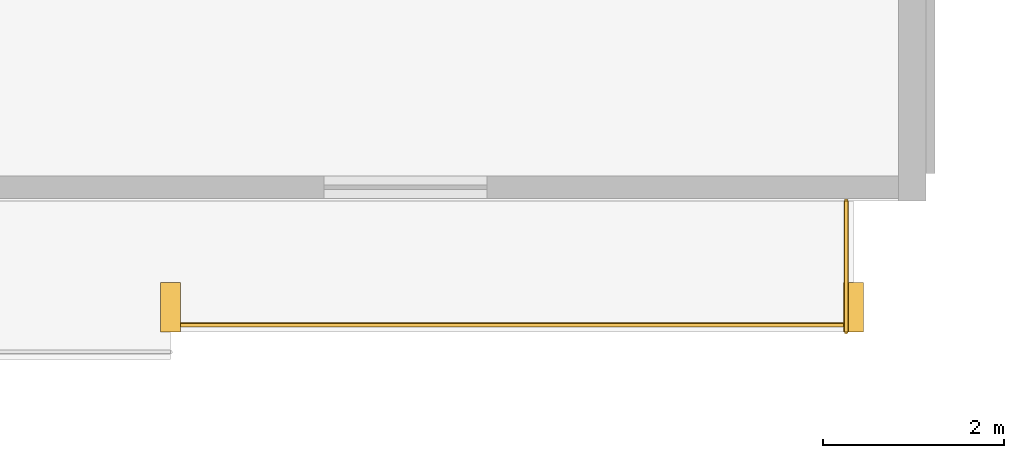
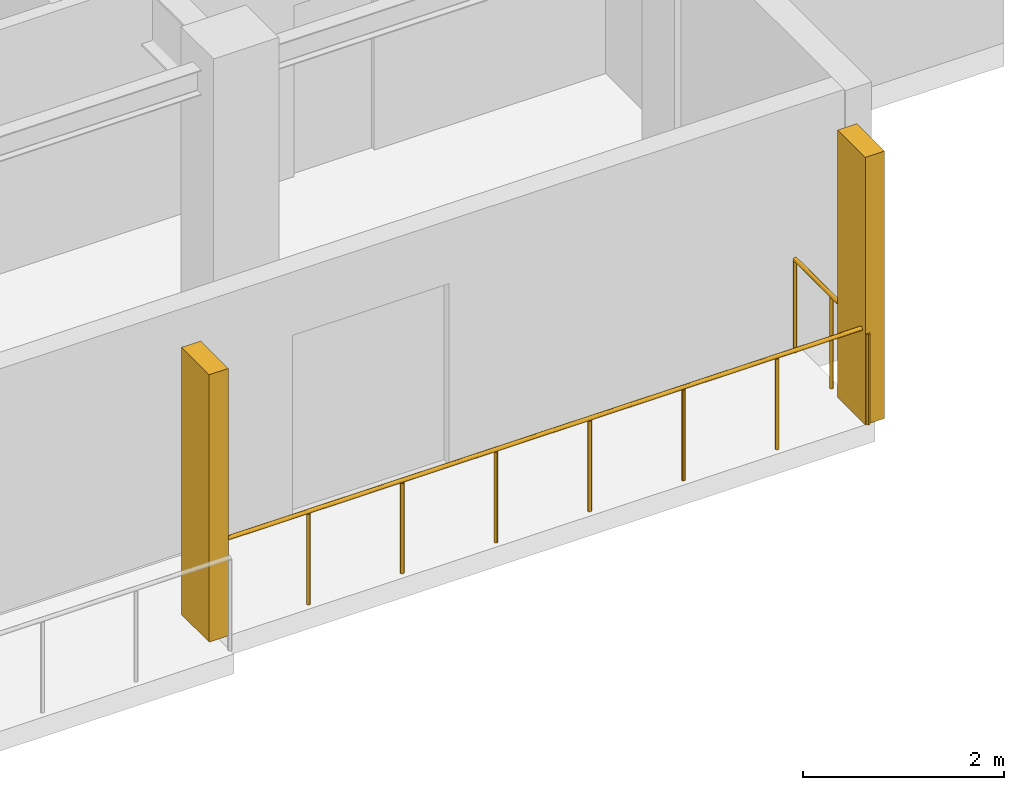
# One storey, part 19 of 21: 2 railings, 2 shading devices.
"""IFC4 building model written with IfcOpenShell, lengths in metres."""

from ifc_helpers import new_model, si_unit, direction, frame, origin, origin_2d, place, context, subcontext, project, spatial, rectangle, circle, extrude, material, type_object, element, save


model = new_model("IFC4")

# Units and contexts
model_context = context("Model", 3, precision=1e-05, world=origin(), true_north=direction((0.0, 1.0)))
body_context = subcontext(model_context, "Body", "Model", "MODEL_VIEW")
ifc_project = project(units=[si_unit("LENGTHUNIT", "METRE"), si_unit("AREAUNIT", "SQUARE_METRE"), si_unit("VOLUMEUNIT", "CUBIC_METRE"), si_unit("PLANEANGLEUNIT", "RADIAN"), si_unit("MASSUNIT", "GRAM", prefix="KILO")], contexts=[model_context])

# Site, building, storey
site_placement = place(None, origin())
site = spatial("IfcSite", under=ifc_project, at=site_placement, CompositionType="ELEMENT")
building_placement = place(site_placement, origin())
building = spatial("IfcBuilding", under=site, at=building_placement, Name="Korimba Cascade Residences", CompositionType="ELEMENT")
storey_placement = place(building_placement, frame((0.0, 0.0, 184.85009765625)))
storey = spatial("IfcBuildingStorey", under=building, at=storey_placement, Name="L53", CompositionType="ELEMENT", Elevation=184.85009765625)

# Railings
ifc_material_1 = material(Name="Laminated Glass and Bronze Balustrade", Category="glass")
railing_type = type_object("IfcRailingType", Name="RLG-LOG-1150", PredefinedType="BALUSTRADE", material=ifc_material_1)
railing_1_placement = place(storey_placement, frame((120.55712890625, -9.169921875, 0.0)))
element("IfcRailing", 1, at=railing_1_placement, inside=storey, type_object=railing_type, Name="L53 Perimeter Guardrail RLG-L53-T2-LOG-07", PredefinedType="BALUSTRADE", context=body_context, shape_type="SweptSolid", body=[
    extrude(circle(Radius=0.02392578125, at=origin_2d()), frame((0.0, 0.0, 1.1259765625), z_axis=(1.0, 0.0, 0.0), x_axis=(0.0, 1.0, 0.0)), (0.0, 0.0, 1.0), 7.54296875),
    extrude(circle(Radius=0.02099609375, at=origin_2d()), origin(), (0.0, 0.0, 1.0), 1.101806640625),
    extrude(circle(Radius=0.02099609375, at=origin_2d()), frame((1.07763671875, 0.0, 0.0)), (0.0, 0.0, 1.0), 1.101806640625),
    extrude(circle(Radius=0.02099609375, at=origin_2d()), frame((2.155029296875, 0.0, 0.0)), (0.0, 0.0, 1.0), 1.101806640625),
    extrude(circle(Radius=0.02099609375, at=origin_2d()), frame((3.232666015625, 0.0, 0.0)), (0.0, 0.0, 1.0), 1.101806640625),
    extrude(circle(Radius=0.02099609375, at=origin_2d()), frame((4.310302734375, 0.0, 0.0)), (0.0, 0.0, 1.0), 1.101806640625),
    extrude(circle(Radius=0.02099609375, at=origin_2d()), frame((5.387939453125, 0.0, 0.0)), (0.0, 0.0, 1.0), 1.101806640625),
    extrude(circle(Radius=0.02099609375, at=origin_2d()), frame((6.46533203125, 0.0, 0.0)), (0.0, 0.0, 1.0), 1.101806640625),
    extrude(circle(Radius=0.02099609375, at=origin_2d()), frame((7.54296875, 0.0, 0.0)), (0.0, 0.0, 1.0), 1.101806640625),
])
railing_2_placement = place(storey_placement, frame((128.02001953125, -9.25, 0.0)))
element("IfcRailing", 2, at=railing_2_placement, inside=storey, type_object=railing_type, Name="L53 Perimeter Guardrail RLG-L53-T2-LOG-08", PredefinedType="BALUSTRADE", context=body_context, shape_type="SweptSolid", body=[
    extrude(circle(Radius=0.02392578125, at=origin_2d()), frame((0.0, 0.0, 1.1259765625), z_axis=(0.0, 1.0, 0.0), x_axis=(-1.0, 0.0, 0.0)), (0.0, 0.0, 1.0), 1.449951171875),
    extrude(circle(Radius=0.02099609375, at=origin_2d()), origin(), (0.0, 0.0, 1.0), 1.101806640625),
    extrude(circle(Radius=0.02099609375, at=origin_2d()), frame((0.0, 0.72509765625, 0.0)), (0.0, 0.0, 1.0), 1.101806640625),
    extrude(circle(Radius=0.02099609375, at=origin_2d()), frame((0.0, 1.449951171875, 0.0)), (0.0, 0.0, 1.0), 1.101806640625),
])

# Shading devices
ifc_material_2 = material(Name="Honed Sandstone Precast Fin", Category="masonry")
shading_device_type = type_object("IfcShadingDeviceType", Name="SHD-FIN-550", PredefinedType="USERDEFINED", material=ifc_material_2)
for number, where, z_axis, x_axis, name in (
    (3, (120.55712890625, -8.97509765625, 0.0), (0.0, 0.0, 1.0), (1.0, 0.0, 0.0), "L53 T2 Warm-Stone Loggia Fin 7"),
    (4, (128.10009765625, -8.97509765625, 0.0), (0.0, 0.0, 1.0), (1.0, 0.0, 0.0), "L53 T2 Warm-Stone Loggia Fin 8"),
):
    element("IfcShadingDevice", number, at=place(storey_placement, frame(where, z_axis=z_axis, x_axis=x_axis)), inside=storey, type_object=shading_device_type, Name=name, ObjectType="FIN", PredefinedType="USERDEFINED", context=body_context, shape_type="SweptSolid", body=[
        extrude(rectangle(XDim=0.219970703125, YDim=0.550048828125, at=origin_2d()), origin(), (0.0, 0.0, 1.0), 3.25),
    ])

save(model, "model.ifc")
